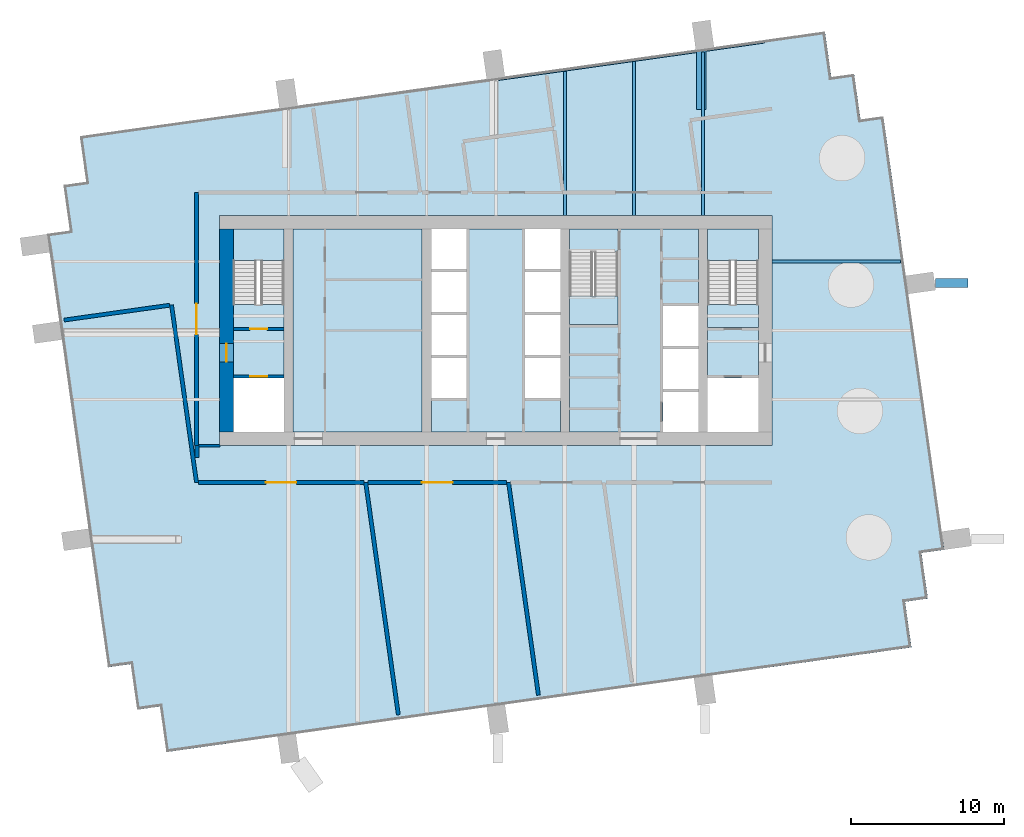
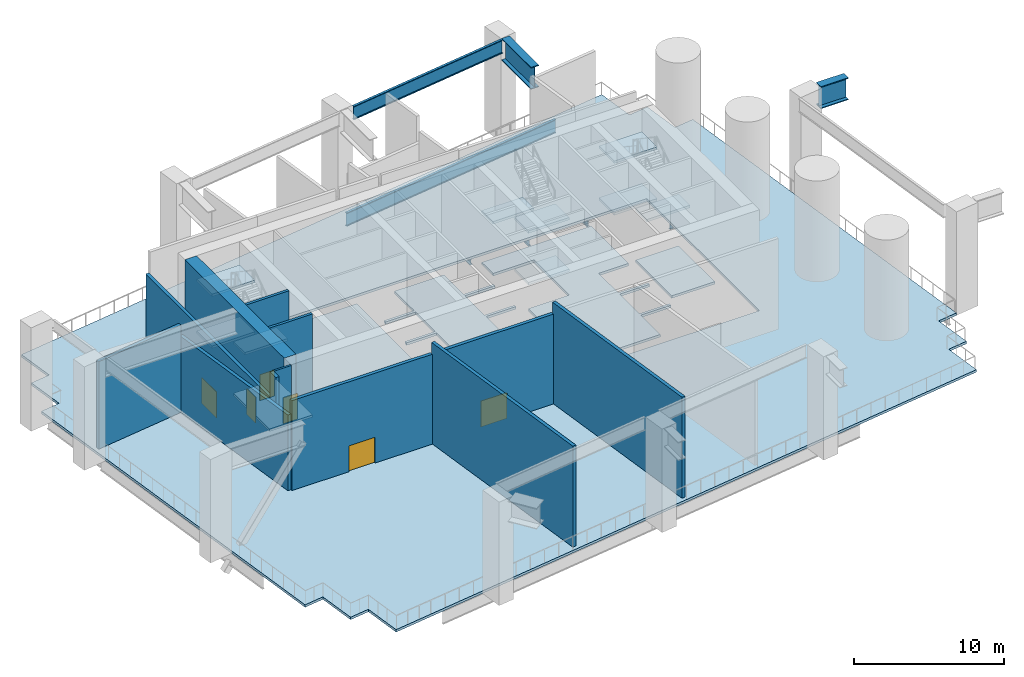
# One storey, part 2 of 13: 15 slabs, 12 walls, 8 beams, 6 doors, 6 openings, 3 elements without a shape of their own.
"""IFC4 building model written with IfcOpenShell, lengths in metres."""

from ifc_helpers import new_model, si_unit, direction, frame, frame_2d, origin, origin_2d, place, context, subcontext, project, spatial, polyline, rectangle, i_section, outline, extrude, material, layer, layer_set, material_profile, profile_set, type_object, element, fill, aggregate, save


model = new_model("IFC4")

# Units and contexts
model_context = context("Model", 3, precision=1e-05, world=origin(), true_north=direction((0.0, 1.0)))
body_context = subcontext(model_context, "Body", "Model", "MODEL_VIEW")
ifc_project = project(units=[si_unit("LENGTHUNIT", "METRE"), si_unit("AREAUNIT", "SQUARE_METRE"), si_unit("VOLUMEUNIT", "CUBIC_METRE"), si_unit("PLANEANGLEUNIT", "RADIAN"), si_unit("MASSUNIT", "GRAM", prefix="KILO")], contexts=[model_context])

# Site, building, storey
site_placement = place(None, origin())
site = spatial("IfcSite", under=ifc_project, at=site_placement, CompositionType="ELEMENT")
building_placement = place(site_placement, origin())
building = spatial("IfcBuilding", under=site, at=building_placement, Name="Rattan Terrace Tower", CompositionType="ELEMENT")
storey_placement = place(building_placement, frame((0.0, 0.0, 199.699951171875)))
storey = spatial("IfcBuildingStorey", under=building, at=storey_placement, Name="L46", CompositionType="ELEMENT", Elevation=199.699951171875)

# Beams
ifc_material_1 = material(Name="Steel S460", Category="steel")
ifc_material_profile_1 = material_profile(ifc_material_1, i_section(OverallWidth=0.179931640625, OverallDepth=1.10009765625, WebThickness=0.01611328125, FlangeThickness=0.050048828125, at=origin_2d()), Name="PG 1100x180-16-50")
ifc_profile_set_1 = profile_set([ifc_material_profile_1], Name="Steel S460")
beam_type_1 = type_object("IfcBeamType", Name="Frame edge girder PG 1100x180-16-50", PredefinedType="SPANDREL", material=ifc_profile_set_1)
beam_1_placement = place(storey_placement, frame((17.4990234375, 18.818115234375, -0.75), z_axis=(-0.990264173921, -0.139200811234, 0.0), x_axis=(0.139200811234, -0.990264173921, 0.0)))
element("IfcBeam", 1, at=beam_1_placement, inside=storey, type_object=beam_type_1, Name="gdr-L46-007", PredefinedType="SPANDREL", context=body_context, shape_type="SweptSolid", body=[
    extrude(i_section(OverallWidth=0.179931640625, OverallDepth=1.10009765625, WebThickness=0.01611328125, FlangeThickness=0.050048828125, at=origin_2d()), origin(), (0.0, 0.0, 1.0), 17.657958984375),
])
ifc_material_2 = material(Name="Steel S355", Category="steel")
ifc_material_profile_2 = material_profile(ifc_material_2, i_section(OverallWidth=0.18994140625, OverallDepth=0.449951171875, WebThickness=0.009521484375, FlangeThickness=0.0146484375, FilletRadius=0.02099609375, at=origin_2d()), Name="IPE 450")
ifc_profile_set_2 = profile_set([ifc_material_profile_2], Name="Steel S355")
beam_type_2 = type_object("IfcBeamType", Name="Frame floor beam IPE 450", PredefinedType="JOIST", material=ifc_profile_set_2)
beam_2_placement = place(storey_placement, frame((18.0, 4.5, -0.425048828125), z_axis=(1.0, 0.0, 0.0), x_axis=(0.0, 1.0, 0.0)))
element("IfcBeam", 2, at=beam_2_placement, inside=storey, type_object=beam_type_2, Name="bm-L46-015", PredefinedType="JOIST", context=body_context, shape_type="SweptSolid", body=[
    extrude(i_section(OverallWidth=0.18994140625, OverallDepth=0.449951171875, WebThickness=0.009521484375, FlangeThickness=0.0146484375, FilletRadius=0.02099609375, at=origin_2d()), origin(), (0.0, 0.0, 1.0), 8.381103515625),
])
beam_3_placement = place(storey_placement, frame((4.5, 7.5, -0.425048828125), z_axis=(0.0, 1.0, 0.0), x_axis=(-1.0, 0.0, 0.0)))
element("IfcBeam", 3, at=beam_3_placement, inside=storey, type_object=beam_type_2, Name="bm-L46-020", PredefinedType="JOIST", context=body_context, shape_type="SweptSolid", body=[
    extrude(i_section(OverallWidth=0.18994140625, OverallDepth=0.449951171875, WebThickness=0.009521484375, FlangeThickness=0.0146484375, FilletRadius=0.02099609375, at=origin_2d()), origin(), (0.0, 0.0, 1.0), 9.385986328125),
])
ifc_material_3 = material(Name="Steel S355", Category="steel")
ifc_material_profile_3 = material_profile(ifc_material_3, i_section(OverallWidth=0.199951171875, OverallDepth=0.5, WebThickness=0.01025390625, FlangeThickness=0.01611328125, FilletRadius=0.02099609375, at=origin_2d()), Name="IPE 500")
ifc_profile_set_3 = profile_set([ifc_material_profile_3], Name="Steel S355")
beam_type_3 = type_object("IfcBeamType", Name="Frame floor beam IPE 500", PredefinedType="JOIST", material=ifc_profile_set_3)
beam_4_placement = place(storey_placement, frame((9.0, 7.5, -0.449951171875), z_axis=(0.0, 1.0, 0.0), x_axis=(-1.0, 0.0, 0.0)))
element("IfcBeam", 4, at=beam_4_placement, inside=storey, type_object=beam_type_3, Name="bm-L46-021", PredefinedType="JOIST", context=body_context, shape_type="SweptSolid", body=[
    extrude(i_section(OverallWidth=0.199951171875, OverallDepth=0.5, WebThickness=0.01025390625, FlangeThickness=0.01611328125, FilletRadius=0.02099609375, at=origin_2d()), origin(), (0.0, 0.0, 1.0), 10.01806640625),
])
beam_5_placement = place(storey_placement, frame((13.5, 7.5, -0.449951171875), z_axis=(0.0, 1.0, 0.0), x_axis=(-1.0, 0.0, 0.0)))
element("IfcBeam", 5, at=beam_5_placement, inside=storey, type_object=beam_type_3, Name="bm-L46-022", PredefinedType="JOIST", context=body_context, shape_type="SweptSolid", body=[
    extrude(i_section(OverallWidth=0.199951171875, OverallDepth=0.5, WebThickness=0.01025390625, FlangeThickness=0.01611328125, FilletRadius=0.02099609375, at=origin_2d()), origin(), (0.0, 0.0, 1.0), 10.65087890625),
])
ifc_material_4 = material(Name="Steel S460", Category="steel")
ifc_material_profile_4 = material_profile(ifc_material_4, i_section(OverallWidth=0.179931640625, OverallDepth=1.10009765625, WebThickness=0.01611328125, FlangeThickness=0.050048828125, at=origin_2d()), Name="PG 1100x180-16-50")
ifc_profile_set_4 = profile_set([ifc_material_profile_4], Name="Steel S460")
beam_type_4 = type_object("IfcBeamType", Name="Frame transfer girder PG 1100x180-16-50", PredefinedType="USERDEFINED", material=ifc_profile_set_4)
beam_6_placement = place(storey_placement, frame((13.04296875, 18.19189453125, 7.650146484375), z_axis=(-0.990256997708, -0.139251852734, 0.0), x_axis=(0.139251852734, -0.990256997708, 0.0)))
element("IfcBeam", 6, at=beam_6_placement, inside=storey, type_object=beam_type_4, Name="trf-L46-002", ObjectType="TRANSFER GIRDER", PredefinedType="USERDEFINED", context=body_context, shape_type="SweptSolid", body=[
    extrude(i_section(OverallWidth=0.179931640625, OverallDepth=1.10009765625, WebThickness=0.01611328125, FlangeThickness=0.050048828125, at=origin_2d()), origin(), (0.0, 0.0, 1.0), 12.558349609375),
])
ifc_material_5 = material(Name="Steel S460", Category="steel")
ifc_material_profile_5 = material_profile(ifc_material_5, i_section(OverallWidth=0.60009765625, OverallDepth=1.800048828125, WebThickness=0.0400390625, FlangeThickness=0.070068359375, at=origin_2d()), Name="PG 1800x600-40-70")
ifc_profile_set_5 = profile_set([ifc_material_profile_5], Name="Steel S460")
beam_type_5 = type_object("IfcBeamType", Name="Frame transfer girder PG 1800x600-40-70", PredefinedType="USERDEFINED", material=ifc_profile_set_5)
beam_7_placement = place(storey_placement, frame((28.656005859375, 3.10009765625, 7.300048828125), z_axis=(1.0, 0.0, 0.0), x_axis=(0.0, 1.0, 0.0)))
element("IfcBeam", 7, at=beam_7_placement, inside=storey, type_object=beam_type_5, Name="trf-L46-011", ObjectType="TRANSFER GIRDER", PredefinedType="USERDEFINED", context=body_context, shape_type="SweptSolid", body=[
    extrude(i_section(OverallWidth=0.60009765625, OverallDepth=1.800048828125, WebThickness=0.0400390625, FlangeThickness=0.070068359375, at=origin_2d()), origin(), (0.0, 0.0, 1.0), 2.10888671875),
])
beam_8_placement = place(storey_placement, frame((13.3798828125, 14.386962890625, 7.300048828125), z_axis=(0.0, 1.0, 0.0), x_axis=(-1.0, 0.0, 0.0)))
element("IfcBeam", 8, at=beam_8_placement, inside=storey, type_object=beam_type_5, Name="trf-L46-016", ObjectType="TRANSFER GIRDER", PredefinedType="USERDEFINED", context=body_context, shape_type="SweptSolid", body=[
    extrude(i_section(OverallWidth=0.60009765625, OverallDepth=1.800048828125, WebThickness=0.0400390625, FlangeThickness=0.070068359375, at=origin_2d()), origin(), (0.0, 0.0, 1.0), 3.89404296875),
])

# Stair, slabs
ifc_material_6 = material(Name="Concrete C40/50", Category="concrete")
stair_type = type_object("IfcStairType", Name="Core exit stair 1500", PredefinedType="HALF_TURN_STAIR", material=ifc_material_6)
stair_1_placement = place(storey_placement, origin())
stair_1 = element("IfcStair", 9, at=stair_1_placement, inside=storey, type_object=stair_type, Name="L46 exit stair 1", PredefinedType="HALF_TURN_STAIR")
ifc_material_7 = material(Name="Concrete C40/50", Category="concrete")
ifc_layer_1 = layer(ifc_material_7, 0.199951171875)
ifc_layer_set_1 = layer_set([ifc_layer_1], Name="Core exit stair landing")
slab_type_1 = type_object("IfcSlabType", Name="Core exit stair landing", PredefinedType="LANDING", material=ifc_layer_set_1)
slab_1_placement = place(storey_placement, frame((0.0, 0.0, 1.900146484375)))
slab_1 = element("IfcSlab", 10, at=slab_1_placement, type_object=slab_type_1, Name="S1 landing 1", PredefinedType="LANDING", context=body_context, shape_type="SweptSolid", body=[
    extrude(outline(polyline([(-13.800048828125, 4.56005859375), (-13.800048828125, 6.60009765625), (-17.10009765625, 6.60009765625), (-17.10009765625, 4.56005859375), (-13.800048828125, 4.56005859375)])), origin(), (0.0, 0.0, 1.0), 0.199951171875),
])
slab_2_placement = place(storey_placement, frame((0.0, 0.0, 4.0)))
slab_2 = element("IfcSlab", 11, at=slab_2_placement, type_object=slab_type_1, Name="S1 landing 2", PredefinedType="LANDING", context=body_context, shape_type="SweptSolid", body=[
    extrude(outline(polyline([(-13.800048828125, 0.199951171875), (-13.800048828125, 1.699951171875), (-17.10009765625, 1.699951171875), (-17.10009765625, 0.199951171875), (-13.800048828125, 0.199951171875)])), origin(), (0.0, 0.0, 1.0), 0.199951171875),
])
slab_3_placement = place(storey_placement, frame((0.0, 0.0, 6.10009765625)))
slab_3 = element("IfcSlab", 12, at=slab_3_placement, type_object=slab_type_1, Name="S1 landing 3", PredefinedType="LANDING", context=body_context, shape_type="SweptSolid", body=[
    extrude(outline(polyline([(-13.800048828125, 4.56005859375), (-13.800048828125, 6.60009765625), (-17.10009765625, 6.60009765625), (-17.10009765625, 4.56005859375), (-13.800048828125, 4.56005859375)])), origin(), (0.0, 0.0, 1.0), 0.199951171875),
])
aggregate(stair_1, [slab_1, slab_2, slab_3])

stair_2_placement = place(storey_placement, origin())
stair_2 = element("IfcStair", 13, at=stair_2_placement, inside=storey, type_object=stair_type, Name="L46 exit stair 2", PredefinedType="HALF_TURN_STAIR")
slab_4_placement = place(storey_placement, frame((0.0, 0.0, 1.900146484375)))
slab_4 = element("IfcSlab", 14, at=slab_4_placement, type_object=slab_type_1, Name="S2 landing 1", PredefinedType="LANDING", context=body_context, shape_type="SweptSolid", body=[
    extrude(outline(polyline([(17.10009765625, 4.56005859375), (17.10009765625, 6.60009765625), (13.800048828125, 6.60009765625), (13.800048828125, 4.56005859375), (17.10009765625, 4.56005859375)])), origin(), (0.0, 0.0, 1.0), 0.199951171875),
])
slab_5_placement = place(storey_placement, frame((0.0, 0.0, 4.0)))
slab_5 = element("IfcSlab", 15, at=slab_5_placement, type_object=slab_type_1, Name="S2 landing 2", PredefinedType="LANDING", context=body_context, shape_type="SweptSolid", body=[
    extrude(outline(polyline([(17.10009765625, 0.199951171875), (17.10009765625, 1.699951171875), (13.800048828125, 1.699951171875), (13.800048828125, 0.199951171875), (17.10009765625, 0.199951171875)])), origin(), (0.0, 0.0, 1.0), 0.199951171875),
])
slab_6_placement = place(storey_placement, frame((0.0, 0.0, 6.10009765625)))
slab_6 = element("IfcSlab", 16, at=slab_6_placement, type_object=slab_type_1, Name="S2 landing 3", PredefinedType="LANDING", context=body_context, shape_type="SweptSolid", body=[
    extrude(outline(polyline([(17.10009765625, 4.56005859375), (17.10009765625, 6.60009765625), (13.800048828125, 6.60009765625), (13.800048828125, 4.56005859375), (17.10009765625, 4.56005859375)])), origin(), (0.0, 0.0, 1.0), 0.199951171875),
])
aggregate(stair_2, [slab_4, slab_5, slab_6])

stair_3_placement = place(storey_placement, origin())
stair_3 = element("IfcStair", 17, at=stair_3_placement, inside=storey, type_object=stair_type, Name="L46 exit stair 3", PredefinedType="HALF_TURN_STAIR")
slab_7_placement = place(storey_placement, frame((0.0, 0.0, 1.900146484375)))
slab_7 = element("IfcSlab", 18, at=slab_7_placement, type_object=slab_type_1, Name="S3 landing 1", PredefinedType="LANDING", context=body_context, shape_type="SweptSolid", body=[
    extrude(outline(polyline([(4.800048828125, 2.239990234375), (4.800048828125, 0.39990234375), (7.949951171875, 0.39990234375), (7.949951171875, 2.239990234375), (4.800048828125, 2.239990234375)])), origin(), (0.0, 0.0, 1.0), 0.199951171875),
])
slab_8_placement = place(storey_placement, frame((0.0, 0.0, 4.0)))
slab_8 = element("IfcSlab", 19, at=slab_8_placement, type_object=slab_type_1, Name="S3 landing 2", PredefinedType="LANDING", context=body_context, shape_type="SweptSolid", body=[
    extrude(outline(polyline([(4.800048828125, 6.60009765625), (4.800048828125, 5.10009765625), (7.949951171875, 5.10009765625), (7.949951171875, 6.60009765625), (4.800048828125, 6.60009765625)])), origin(), (0.0, 0.0, 1.0), 0.199951171875),
])
slab_9_placement = place(storey_placement, frame((0.0, 0.0, 6.10009765625)))
slab_9 = element("IfcSlab", 20, at=slab_9_placement, type_object=slab_type_1, Name="S3 landing 3", PredefinedType="LANDING", context=body_context, shape_type="SweptSolid", body=[
    extrude(outline(polyline([(4.800048828125, 2.239990234375), (4.800048828125, 0.39990234375), (7.949951171875, 0.39990234375), (7.949951171875, 2.239990234375), (4.800048828125, 2.239990234375)])), origin(), (0.0, 0.0, 1.0), 0.199951171875),
])
aggregate(stair_3, [slab_7, slab_8, slab_9])

# Slabs
ifc_material_8 = material(Name="Concrete C35/45", Category="concrete")
ifc_layer_2 = layer(ifc_material_8, 0.199951171875)
ifc_layer_set_2 = layer_set([ifc_layer_2], Name="Frame refuge floor slab 200")
slab_type_2 = type_object("IfcSlabType", Name="Frame refuge floor slab 200", PredefinedType="FLOOR", material=ifc_layer_set_2)
slab_10_placement = place(storey_placement, frame((0.0, 0.0, -0.199951171875)))
element("IfcSlab", 21, at=slab_10_placement, inside=storey, type_object=slab_type_2, Name="Floor slab", PredefinedType="FLOOR", context=body_context, shape_type="SweptSolid", body=[
    extrude(outline(polyline([(-18.472900390625, -27.044921875), (24.10888671875, -21.06103515625), (27.080078125, -20.64306640625), (26.662109375, -17.672119140625), (28.14794921875, -17.464111328125), (27.72998046875, -14.492919921875), (29.216064453125, -14.283935546875), (25.2490234375, 13.93896484375), (23.763916015625, 13.72998046875), (23.345947265625, 16.700927734375), (21.861083984375, 16.491943359375), (21.443115234375, 19.462890625), (18.472900390625, 19.044921875), (-24.10888671875, 13.06103515625), (-27.080078125, 12.64306640625), (-26.662109375, 9.672119140625), (-28.14794921875, 9.464111328125), (-27.72998046875, 6.492919921875), (-29.216064453125, 6.283935546875), (-25.2490234375, -21.93896484375), (-23.763916015625, -21.72998046875), (-23.345947265625, -24.700927734375), (-21.861083984375, -24.491943359375), (-21.443115234375, -27.462890625), (-18.472900390625, -27.044921875)]), holes=[polyline([(-18.0, -7.5), (18.0, -7.5), (18.0, -6.60009765625), (18.0, 6.60009765625), (18.0, 7.5), (-18.0, 7.5), (-18.0, 6.60009765625), (-18.0, -6.60009765625), (-18.0, -7.5)])]), origin(), (0.0, 0.0, 1.0), 0.199951171875),
])
slab_11_placement = place(storey_placement, frame((0.0, 0.0, -0.199951171875)))
element("IfcSlab", 22, at=slab_11_placement, inside=storey, type_object=slab_type_2, Name="Floor slab", PredefinedType="FLOOR", context=body_context, shape_type="SweptSolid", body=[
    extrude(outline(polyline([(13.199951171875, 6.60009765625), (4.800048828125, 6.60009765625), (4.800048828125, 5.090087890625), (7.949951171875, 5.090087890625), (7.949951171875, 0.39990234375), (4.800048828125, 0.39990234375), (4.800048828125, -6.60009765625), (10.89990234375, -6.60009765625), (10.89990234375, -4.0), (13.199951171875, -4.0), (13.199951171875, -3.800048828125), (10.89990234375, -3.800048828125), (10.89990234375, -1.199951171875), (13.199951171875, -1.199951171875), (13.199951171875, -1.0), (10.89990234375, -1.0), (10.89990234375, 1.60009765625), (13.199951171875, 1.60009765625), (13.199951171875, 6.60009765625)])), origin(), (0.0, 0.0, 1.0), 0.199951171875),
])
slab_12_placement = place(storey_placement, frame((0.0, 0.0, -0.199951171875)))
element("IfcSlab", 23, at=slab_12_placement, inside=storey, type_object=slab_type_2, Name="Floor slab", PredefinedType="FLOOR", context=body_context, shape_type="SweptSolid", body=[
    extrude(outline(polyline([(1.89990234375, 6.60009765625), (-1.89990234375, 6.60009765625), (-1.89990234375, 4.0), (-4.199951171875, 4.0), (-4.199951171875, 3.800048828125), (-1.89990234375, 3.800048828125), (-1.89990234375, 1.199951171875), (-4.199951171875, 1.199951171875), (-4.199951171875, 1.0), (-1.89990234375, 1.0), (-1.89990234375, -1.60009765625), (-4.199951171875, -1.60009765625), (-4.199951171875, -1.800048828125), (-1.89990234375, -1.800048828125), (-1.89990234375, -4.39990234375), (-4.199951171875, -4.39990234375), (-4.199951171875, -6.60009765625), (4.199951171875, -6.60009765625), (4.199951171875, -4.39990234375), (1.89990234375, -4.39990234375), (1.89990234375, -1.800048828125), (4.199951171875, -1.800048828125), (4.199951171875, -1.60009765625), (1.89990234375, -1.60009765625), (1.89990234375, 1.0), (4.199951171875, 1.0), (4.199951171875, 1.199951171875), (1.89990234375, 1.199951171875), (1.89990234375, 3.800048828125), (4.199951171875, 3.800048828125), (4.199951171875, 4.0), (1.89990234375, 4.0), (1.89990234375, 6.60009765625)])), origin(), (0.0, 0.0, 1.0), 0.199951171875),
])
slab_13_placement = place(storey_placement, frame((0.0, 0.0, -0.199951171875)))
element("IfcSlab", 24, at=slab_13_placement, inside=storey, type_object=slab_type_2, Name="Floor slab", PredefinedType="FLOOR", context=body_context, shape_type="SweptSolid", body=[
    extrude(outline(polyline([(-17.10009765625, -3.10009765625), (-13.800048828125, -3.10009765625), (-13.800048828125, 1.7099609375), (-17.10009765625, 1.7099609375), (-17.10009765625, -3.10009765625)])), origin(), (0.0, 0.0, 1.0), 0.199951171875),
])
slab_14_placement = place(storey_placement, frame((0.0, 0.0, -0.199951171875)))
element("IfcSlab", 25, at=slab_14_placement, inside=storey, type_object=slab_type_2, Name="Floor slab", PredefinedType="FLOOR", context=body_context, shape_type="SweptSolid", body=[
    extrude(outline(polyline([(-4.800048828125, -6.60009765625), (-4.800048828125, 6.60009765625), (-13.199951171875, 6.60009765625), (-13.199951171875, -6.60009765625), (-4.800048828125, -6.60009765625)])), origin(), (0.0, 0.0, 1.0), 0.199951171875),
])
slab_15_placement = place(storey_placement, frame((0.0, 0.0, -0.199951171875)))
element("IfcSlab", 26, at=slab_15_placement, inside=storey, type_object=slab_type_2, Name="Floor slab", PredefinedType="FLOOR", context=body_context, shape_type="SweptSolid", body=[
    extrude(outline(polyline([(13.800048828125, -3.10009765625), (17.10009765625, -3.10009765625), (17.10009765625, 1.7099609375), (13.800048828125, 1.7099609375), (13.800048828125, -3.10009765625)])), origin(), (0.0, 0.0, 1.0), 0.199951171875),
])

# Wall, opening, door
ifc_material_9 = material(Name="Gypsum board partition")
ifc_layer_3 = layer(ifc_material_9, 0.199951171875)
ifc_layer_set_3 = layer_set([ifc_layer_3], Name="Core partition 200")
wall_type_1 = type_object("IfcWallType", Name="Core partition 200", PredefinedType="PARTITIONING", material=ifc_layer_set_3)
wall_1_placement = place(storey_placement, frame((-17.10009765625, -3.0, 0.0), z_axis=(0.0, 0.0, 1.0), x_axis=(1.0, 0.0, 0.0)))
wall_1 = element("IfcWall", 27, at=wall_1_placement, inside=storey, type_object=wall_type_1, Name="Fire-fighting lobby wall", PredefinedType="PARTITIONING", context=body_context, shape_type="SweptSolid", body=[
    extrude(rectangle(XDim=3.300048828125, YDim=0.199951171875, at=frame_2d((1.64990234375, 0.0))), origin(), (0.0, 0.0, 1.0), 8.199951171875),
])
opening_1_placement = place(wall_1_placement, frame((1.10009765625, 0.0, 0.0)))
opening_1 = element("IfcOpeningElement", 28, at=opening_1_placement, cuts=wall_1, Name="Opening L46-LD-FF1", PredefinedType="OPENING", context=body_context, shape_type="SweptSolid", body=[
    extrude(rectangle(XDim=1.10009765625, YDim=2.10009765625, at=frame_2d((0.550048828125, 1.050048828125))), frame((0.0, 0.110595703125, 0.0), z_axis=(0.0, -1.0, 0.0), x_axis=(1.0, 0.0, 0.0)), (0.0, 0.0, 1.0), 0.220947265625),
])
ifc_material_10 = material(Name="Brushed stainless landing door panel")
door_type_1 = type_object("IfcDoorType", Name="Core lift landing door 1100", OperationType="DOUBLE_DOOR_SLIDING", PredefinedType="DOOR", material=ifc_material_10)
door_1_placement = place(opening_1_placement, origin())
door_1 = element("IfcDoor", 29, at=door_1_placement, inside=storey, type_object=door_type_1, Name="Door L46-LD-FF1", OperationType="DOUBLE_DOOR_SLIDING", OverallHeight=2.10009765625, OverallWidth=1.10009765625, PredefinedType="DOOR", context=body_context, shape_type="SweptSolid", body=[
    extrude(rectangle(XDim=1.10009765625, YDim=2.10009765625, at=frame_2d((0.550048828125, 1.050048828125))), frame((0.0, 0.02490234375, 0.0), z_axis=(0.0, -1.0, 0.0), x_axis=(1.0, 0.0, 0.0)), (0.0, 0.0, 1.0), 0.050048828125),
])
fill(opening_1, door_1)

wall_2_placement = place(storey_placement, frame((-17.10009765625, 0.10009765625, 0.0), z_axis=(0.0, 0.0, 1.0), x_axis=(1.0, 0.0, 0.0)))
wall_2 = element("IfcWall", 30, at=wall_2_placement, inside=storey, type_object=wall_type_1, Name="Stair enclosure wall", PredefinedType="PARTITIONING", context=body_context, shape_type="SweptSolid", body=[
    extrude(rectangle(XDim=3.300048828125, YDim=0.199951171875, at=frame_2d((1.64990234375, 0.0))), origin(), (0.0, 0.0, 1.0), 8.199951171875),
])
opening_2_placement = place(wall_2_placement, frame((1.10009765625, 0.0, 0.0)))
opening_2 = element("IfcOpeningElement", 31, at=opening_2_placement, cuts=wall_2, Name="Opening L46-D002", PredefinedType="OPENING", context=body_context, shape_type="SweptSolid", body=[
    extrude(rectangle(XDim=1.10009765625, YDim=2.10009765625, at=frame_2d((0.550048828125, 1.050048828125))), frame((0.0, 0.110595703125, 0.0), z_axis=(0.0, -1.0, 0.0), x_axis=(1.0, 0.0, 0.0)), (0.0, 0.0, 1.0), 0.220947265625),
])
ifc_material_11 = material(Name="Hollow-metal fire door leaf")
door_type_2 = type_object("IfcDoorType", Name="Core stair door 1100", OperationType="NOTDEFINED", PredefinedType="DOOR", material=ifc_material_11)
door_2_placement = place(opening_2_placement, origin())
door_2 = element("IfcDoor", 32, at=door_2_placement, inside=storey, type_object=door_type_2, Name="Door L46-D002", OperationType="SINGLE_SWING_RIGHT", OverallHeight=2.10009765625, OverallWidth=1.10009765625, PredefinedType="DOOR", context=body_context, shape_type="SweptSolid", body=[
    extrude(rectangle(XDim=1.10009765625, YDim=2.10009765625, at=frame_2d((0.550048828125, 1.050048828125))), frame((0.0, 0.02490234375, 0.0), z_axis=(0.0, -1.0, 0.0), x_axis=(1.0, 0.0, 0.0)), (0.0, 0.0, 1.0), 0.050048828125),
])
fill(opening_2, door_2)

ifc_material_12 = material(Name="Concrete C60/75", Category="concrete")
ifc_layer_4 = layer(ifc_material_12, 0.89990234375)
ifc_layer_set_4 = layer_set([ifc_layer_4], Name="Core ring wall 900 C60/75")
wall_type_2 = type_object("IfcWallType", Name="Core ring wall 900 C60/75", PredefinedType="SHEAR", material=ifc_layer_set_4)
wall_3_placement = place(storey_placement, frame((-17.550048828125, -6.60009765625, -0.199951171875), z_axis=(0.0, 0.0, 1.0), x_axis=(0.0, 1.0, 0.0)))
wall_3 = element("IfcWall", 33, at=wall_3_placement, inside=storey, type_object=wall_type_2, Name="Rear core wall west", PredefinedType="SHEAR", context=body_context, shape_type="SweptSolid", body=[
    extrude(rectangle(XDim=13.2001953125, YDim=0.89990234375, at=frame_2d((6.60009765625, 0.0))), origin(), (0.0, 0.0, 1.0), 8.39990234375),
])
opening_3_placement = place(wall_3_placement, frame((4.550048828125, 0.0, 0.199951171875)))
opening_3 = element("IfcOpeningElement", 34, at=opening_3_placement, cuts=wall_3, Name="Opening L46-D001", PredefinedType="OPENING", context=body_context, shape_type="SweptSolid", body=[
    extrude(rectangle(XDim=1.199951171875, YDim=2.10009765625, at=frame_2d((0.60009765625, 1.050048828125))), frame((0.0, 0.46044921875, 0.0), z_axis=(0.0, -1.0, 0.0), x_axis=(1.0, 0.0, 0.0)), (0.0, 0.0, 1.0), 0.9208984375),
])
ifc_material_13 = material(Name="Hollow-metal fire door leaf")
door_type_3 = type_object("IfcDoorType", Name="Core fire-fighting lobby door 1200", OperationType="NOTDEFINED", PredefinedType="DOOR", material=ifc_material_13)
door_3_placement = place(opening_3_placement, origin())
door_3 = element("IfcDoor", 35, at=door_3_placement, inside=storey, type_object=door_type_3, Name="Door L46-D001", OperationType="SINGLE_SWING_LEFT", OverallHeight=2.10009765625, OverallWidth=1.199951171875, PredefinedType="DOOR", context=body_context, shape_type="SweptSolid", body=[
    extrude(rectangle(XDim=1.199951171875, YDim=2.10009765625, at=frame_2d((0.60009765625, 1.050048828125))), frame((0.0, 0.02490234375, 0.0), z_axis=(0.0, -1.0, 0.0), x_axis=(1.0, 0.0, 0.0)), (0.0, 0.0, 1.0), 0.050048828125),
])
fill(opening_3, door_3)

ifc_material_14 = material(Name="Reinforced concrete wall, painted", Category="concrete")
ifc_layer_5 = layer(ifc_material_14, 0.25)
ifc_layer_set_5 = layer_set([ifc_layer_5], Name="Floors Refuge Wall 250")
wall_type_3 = type_object("IfcWallType", Name="Floors Refuge Wall 250", PredefinedType="PARTITIONING", material=ifc_layer_set_5)
wall_4_placement = place(storey_placement, frame((-8.60009765625, -9.89990234375, 0.0), z_axis=(0.0, 0.0, 1.0), x_axis=(-1.0, 0.0, 0.0)))
wall_4 = element("IfcWall", 36, at=wall_4_placement, inside=storey, type_object=wall_type_3, Name="pt-L46-002", PredefinedType="PARTITIONING", context=body_context, shape_type="SweptSolid", body=[
    extrude(rectangle(XDim=10.77587890625, YDim=0.25, at=frame_2d((5.387939453125, 0.0))), origin(), (0.0, 0.0, 1.0), 7.300048828125),
])
opening_4_placement = place(wall_4_placement, frame((4.387939453125, 0.0, 0.0)))
opening_4 = element("IfcOpeningElement", 37, at=opening_4_placement, cuts=wall_4, Name="Opening L46-D100", PredefinedType="OPENING", context=body_context, shape_type="SweptSolid", body=[
    extrude(rectangle(XDim=2.0, YDim=2.10009765625, at=frame_2d((1.0, 1.050048828125))), frame((0.0, 0.135498046875, 0.0), z_axis=(0.0, -1.0, 0.0), x_axis=(1.0, 0.0, 0.0)), (0.0, 0.0, 1.0), 0.27099609375),
])
ifc_material_15 = material(Name="Steel fire door set", Category="steel")
door_type_4 = type_object("IfcDoorType", Name="Floors Plant Equipment Door Pair FD120 2000x2100", OperationType="NOTDEFINED", PredefinedType="DOOR", material=ifc_material_15)
door_4_placement = place(opening_4_placement, origin())
door_4 = element("IfcDoor", 38, at=door_4_placement, inside=storey, type_object=door_type_4, Name="d-L46-100", OperationType="DOUBLE_DOOR_SINGLE_SWING", OverallHeight=2.10009765625, OverallWidth=2.0, PredefinedType="DOOR", context=body_context, shape_type="SweptSolid", body=[
    extrude(rectangle(XDim=2.0, YDim=2.10009765625, at=frame_2d((1.0, 1.050048828125))), frame((0.0, 0.02490234375, 0.0), z_axis=(0.0, -1.0, 0.0), x_axis=(1.0, 0.0, 0.0)), (0.0, 0.0, 1.0), 0.050048828125),
])
fill(opening_4, door_4)

wall_5_placement = place(storey_placement, frame((0.705078125, -9.89892578125, 0.0), z_axis=(0.0, 0.0, 1.0), x_axis=(-1.0, 0.0, 0.0)))
wall_5 = element("IfcWall", 39, at=wall_5_placement, inside=storey, type_object=wall_type_3, Name="pt-L46-003", PredefinedType="PARTITIONING", context=body_context, shape_type="SweptSolid", body=[
    extrude(rectangle(XDim=9.037109375, YDim=0.25, at=frame_2d((4.5185546875, 0.0))), origin(), (0.0, 0.0, 1.0), 7.300048828125),
])
opening_5_placement = place(wall_5_placement, frame((3.51904296875, 0.0, 0.0)))
opening_5 = element("IfcOpeningElement", 40, at=opening_5_placement, cuts=wall_5, Name="Opening L46-D101", PredefinedType="OPENING", context=body_context, shape_type="SweptSolid", body=[
    extrude(rectangle(XDim=2.0, YDim=2.10009765625, at=frame_2d((1.0, 1.050048828125))), frame((0.0, 0.135498046875, 0.0), z_axis=(0.0, -1.0, 0.0), x_axis=(1.0, 0.0, 0.0)), (0.0, 0.0, 1.0), 0.27099609375),
])
door_5_placement = place(opening_5_placement, origin())
door_5 = element("IfcDoor", 41, at=door_5_placement, inside=storey, type_object=door_type_4, Name="d-L46-101", OperationType="DOUBLE_DOOR_SINGLE_SWING", OverallHeight=2.10009765625, OverallWidth=2.0, PredefinedType="DOOR", context=body_context, shape_type="SweptSolid", body=[
    extrude(rectangle(XDim=2.0, YDim=2.10009765625, at=frame_2d((1.0, 1.050048828125))), frame((0.0, 0.02490234375, 0.0), z_axis=(0.0, -1.0, 0.0), x_axis=(1.0, 0.0, 0.0)), (0.0, 0.0, 1.0), 0.050048828125),
])
fill(opening_5, door_5)

# Wall
wall_6_placement = place(storey_placement, frame((-19.47509765625, -8.283935546875, 0.0), z_axis=(0.0, 0.0, 1.0), x_axis=(0.0, 1.0, 0.0)))
element("IfcWall", 42, at=wall_6_placement, inside=storey, type_object=wall_type_3, Name="pt-L46-006", PredefinedType="PARTITIONING", context=body_context, shape_type="SweptSolid", body=[
    extrude(rectangle(XDim=0.783935546875, YDim=0.25, at=frame_2d((0.39208984375, 0.0))), origin(), (0.0, 0.0, 1.0), 8.199951171875),
])

# Wall, opening, door
wall_7_placement = place(storey_placement, frame((-19.5, -7.5, 0.0), z_axis=(0.0, 0.0, 1.0), x_axis=(0.0, 1.0, 0.0)))
wall_7 = element("IfcWall", 43, at=wall_7_placement, inside=storey, type_object=wall_type_3, Name="pt-L46-007", PredefinedType="PARTITIONING", context=body_context, shape_type="SweptSolid", body=[
    extrude(rectangle(XDim=16.5, YDim=0.25, at=frame_2d((8.25, 0.0))), origin(), (0.0, 0.0, 1.0), 6.150146484375),
])
opening_6_placement = place(wall_7_placement, frame((7.25, 0.0, 0.0)))
opening_6 = element("IfcOpeningElement", 44, at=opening_6_placement, cuts=wall_7, Name="Opening L46-D104", PredefinedType="OPENING", context=body_context, shape_type="SweptSolid", body=[
    extrude(rectangle(XDim=2.0, YDim=2.10009765625, at=frame_2d((1.0, 1.050048828125))), frame((0.0, 0.135498046875, 0.0), z_axis=(0.0, -1.0, 0.0), x_axis=(1.0, 0.0, 0.0)), (0.0, 0.0, 1.0), 0.27099609375),
])
door_6_placement = place(opening_6_placement, origin())
door_6 = element("IfcDoor", 45, at=door_6_placement, inside=storey, type_object=door_type_4, Name="d-L46-104", OperationType="DOUBLE_DOOR_SINGLE_SWING", OverallHeight=2.10009765625, OverallWidth=2.0, PredefinedType="DOOR", context=body_context, shape_type="SweptSolid", body=[
    extrude(rectangle(XDim=2.0, YDim=2.10009765625, at=frame_2d((1.0, 1.050048828125))), frame((0.0, 0.02490234375, 0.0), z_axis=(0.0, -1.0, 0.0), x_axis=(1.0, 0.0, 0.0)), (0.0, 0.0, 1.0), 0.050048828125),
])
fill(opening_6, door_6)

# Walls
wall_8_placement = place(storey_placement, frame((-8.47607421875, -9.89990234375, 0.0), z_axis=(0.0, 0.0, 1.0), x_axis=(0.139135905406, -0.990273295523, 0.0)))
element("IfcWall", 46, at=wall_8_placement, inside=storey, type_object=wall_type_3, Name="pt-L46-014", PredefinedType="PARTITIONING", context=body_context, shape_type="SweptSolid", body=[
    extrude(rectangle(XDim=15.286865234375, YDim=0.25, at=frame_2d((7.6435546875, 0.0))), origin(), (0.0, 0.0, 1.0), 8.199951171875),
])
wall_9_placement = place(storey_placement, frame((-28.1259765625, 0.681884765625, 0.0), z_axis=(0.0, 0.0, 1.0), x_axis=(0.990276566438, 0.13911262331, 0.0)))
element("IfcWall", 47, at=wall_9_placement, inside=storey, type_object=wall_type_3, Name="pt-L46-015", PredefinedType="PARTITIONING", context=body_context, shape_type="SweptSolid", body=[
    extrude(rectangle(XDim=6.944580078125, YDim=0.25, at=frame_2d((3.47216796875, 0.0))), origin(), (0.0, 0.0, 1.0), 7.10009765625),
])
wall_10_placement = place(storey_placement, frame((-21.125, 1.6650390625, 0.0), z_axis=(0.0, 0.0, 1.0), x_axis=(0.139178578933, -0.990267298847, 0.0)))
element("IfcWall", 48, at=wall_10_placement, inside=storey, type_object=wall_type_3, Name="pt-L46-016", PredefinedType="PARTITIONING", context=body_context, shape_type="SweptSolid", body=[
    extrude(rectangle(XDim=11.675537109375, YDim=0.25, at=frame_2d((5.837890625, 0.0))), origin(), (0.0, 0.0, 1.0), 6.150146484375),
])
wall_11_placement = place(storey_placement, frame((0.8291015625, -9.89990234375, 0.0), z_axis=(0.0, 0.0, 1.0), x_axis=(0.139217671259, -0.990261803772, 0.0)))
element("IfcWall", 49, at=wall_11_placement, inside=storey, type_object=wall_type_3, Name="pt-L46-017", PredefinedType="PARTITIONING", context=body_context, shape_type="SweptSolid", body=[
    extrude(rectangle(XDim=13.992431640625, YDim=0.25, at=frame_2d((6.99609375, 0.0))), origin(), (0.0, 0.0, 1.0), 8.199951171875),
])
ifc_material_16 = material(Name="Gypsum board partition on steel studs, fire rated", Category="steel")
ifc_layer_6 = layer(ifc_material_16, 0.14990234375)
ifc_layer_set_6 = layer_set([ifc_layer_6], Name="Floors Tenancy Wall 150")
wall_type_4 = type_object("IfcWallType", Name="Floors Tenancy Wall 150", PredefinedType="PARTITIONING", material=ifc_layer_set_6)
wall_12_placement = place(storey_placement, frame((-19.375, -7.5, 0.0), z_axis=(0.0, 0.0, 1.0), x_axis=(1.0, 0.0, 0.0)))
element("IfcWall", 50, at=wall_12_placement, inside=storey, type_object=wall_type_4, Name="pt-L46-001", PredefinedType="PARTITIONING", context=body_context, shape_type="SweptSolid", body=[
    extrude(rectangle(XDim=1.39501953125, YDim=0.14990234375, at=frame_2d((0.697509765625, 0.0))), origin(), (0.0, 0.0, 1.0), 8.199951171875),
])

save(model, "model.ifc")
